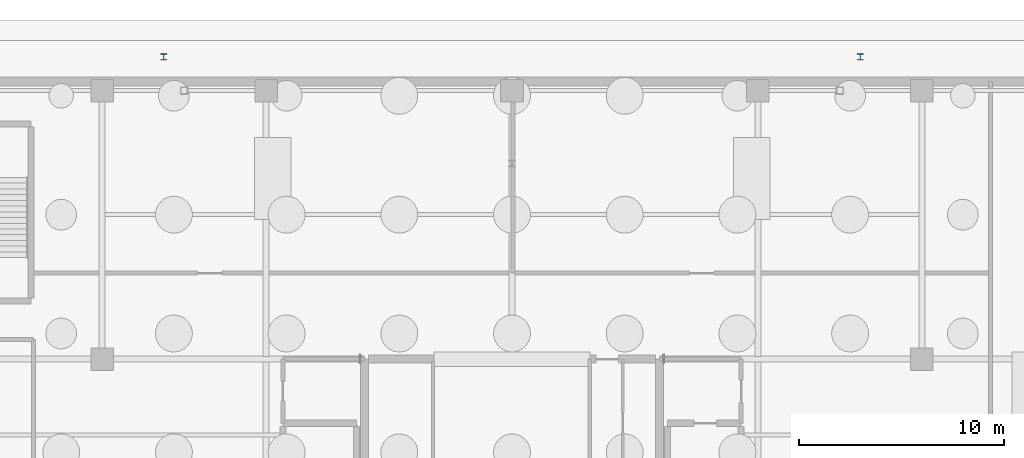
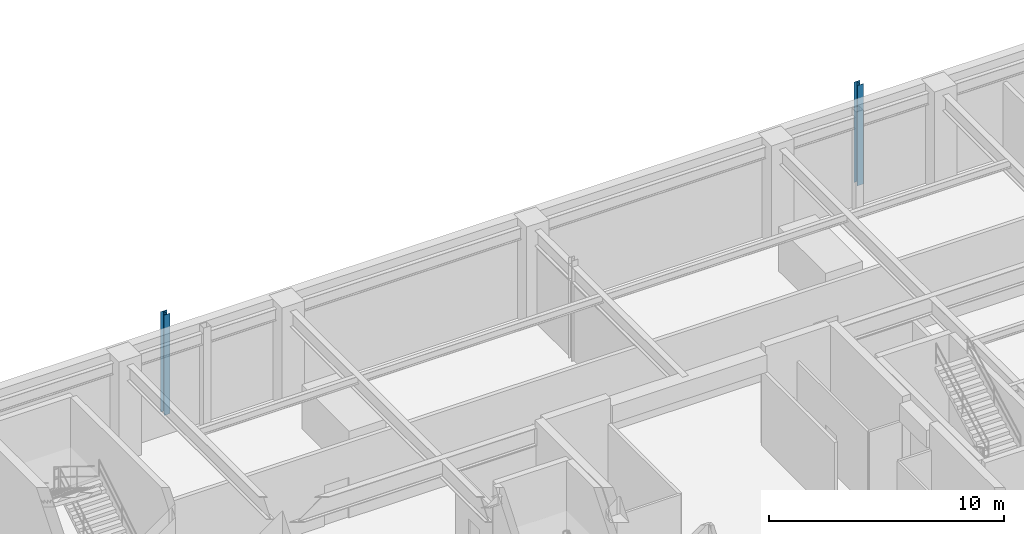
# One storey, part 7 of 18: 2 columns.
"""IFC4 building model written with IfcOpenShell, lengths in metres."""

from ifc_helpers import new_model, si_unit, direction, frame, origin, origin_2d, place, context, subcontext, project, spatial, i_section, extrude, material, material_profile, profile_set, type_object, element, save


model = new_model("IFC4")

# Units and contexts
model_context = context("Model", 3, precision=1e-05, world=origin(), true_north=direction((0.0, 1.0)))
body_context = subcontext(model_context, "Body", "Model", "MODEL_VIEW")
ifc_project = project(units=[si_unit("LENGTHUNIT", "METRE"), si_unit("AREAUNIT", "SQUARE_METRE"), si_unit("VOLUMEUNIT", "CUBIC_METRE"), si_unit("PLANEANGLEUNIT", "RADIAN"), si_unit("MASSUNIT", "GRAM", prefix="KILO")], contexts=[model_context])

# Site, building, storey
site_placement = place(None, origin())
site = spatial("IfcSite", under=ifc_project, at=site_placement, CompositionType="ELEMENT")
building_placement = place(site_placement, origin())
building = spatial("IfcBuilding", under=site, at=building_placement, Name="Veldorina Hangang Commons", CompositionType="ELEMENT")
storey_placement = place(building_placement, frame((0.0, 0.0, -10.39990234375)))
storey = spatial("IfcBuildingStorey", under=building, at=storey_placement, Name="B02", CompositionType="ELEMENT", Elevation=-10.39990234375)

# Columns
ifc_material = material(Name="Steel SM355-TMC", Category="steel")
ifc_material_profile = material_profile(ifc_material, i_section(OverallWidth=0.300048828125, OverallDepth=0.300048828125, WebThickness=0.010009765625, FlangeThickness=0.014892578125, FilletRadius=0.012939453125, at=origin_2d()), Name="H-300x300x10x15")
ifc_profile_set = profile_set([ifc_material_profile], Name="Steel SM355-TMC")
column_type = type_object("IfcColumnType", Name="COL-H300", PredefinedType="COLUMN", material=ifc_profile_set)
for number, where, z_axis, x_axis, name in (
    (1, (15.0, 46.199951171875, 0.0), (0.0, 0.0, 1.0), (1.0, 0.0, 0.0), "B02 walkway support pier NORTH1"),
    (2, (49.0, 46.199951171875, 0.0), (0.0, 0.0, 1.0), (1.0, 0.0, 0.0), "B02 walkway support pier NORTH2"),
):
    element("IfcColumn", number, at=place(storey_placement, frame(where, z_axis=z_axis, x_axis=x_axis)), inside=storey, type_object=column_type, Name=name, PredefinedType="COLUMN", context=body_context, shape_type="SweptSolid", body=[
        extrude(i_section(OverallWidth=0.300048828125, OverallDepth=0.300048828125, WebThickness=0.010009765625, FlangeThickness=0.014892578125, FilletRadius=0.012939453125, at=origin_2d()), origin(), (0.0, 0.0, 1.0), 5.199951171875),
    ])

save(model, "model.ifc")
